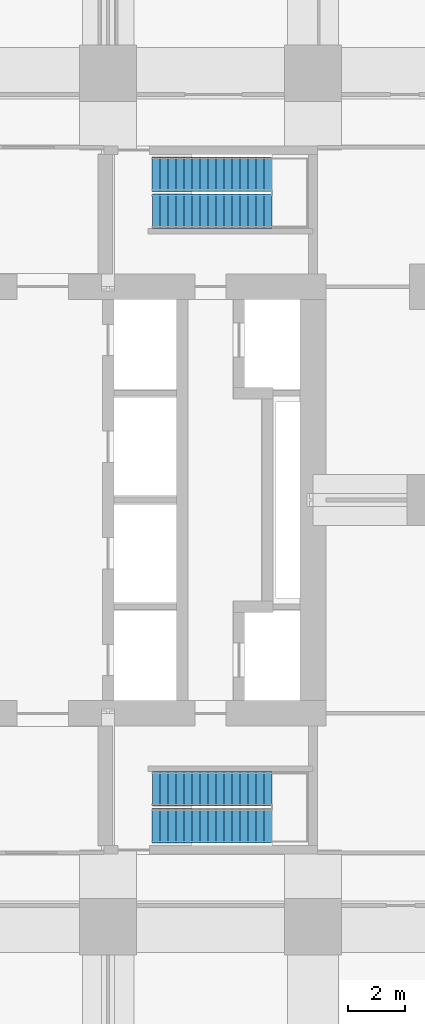
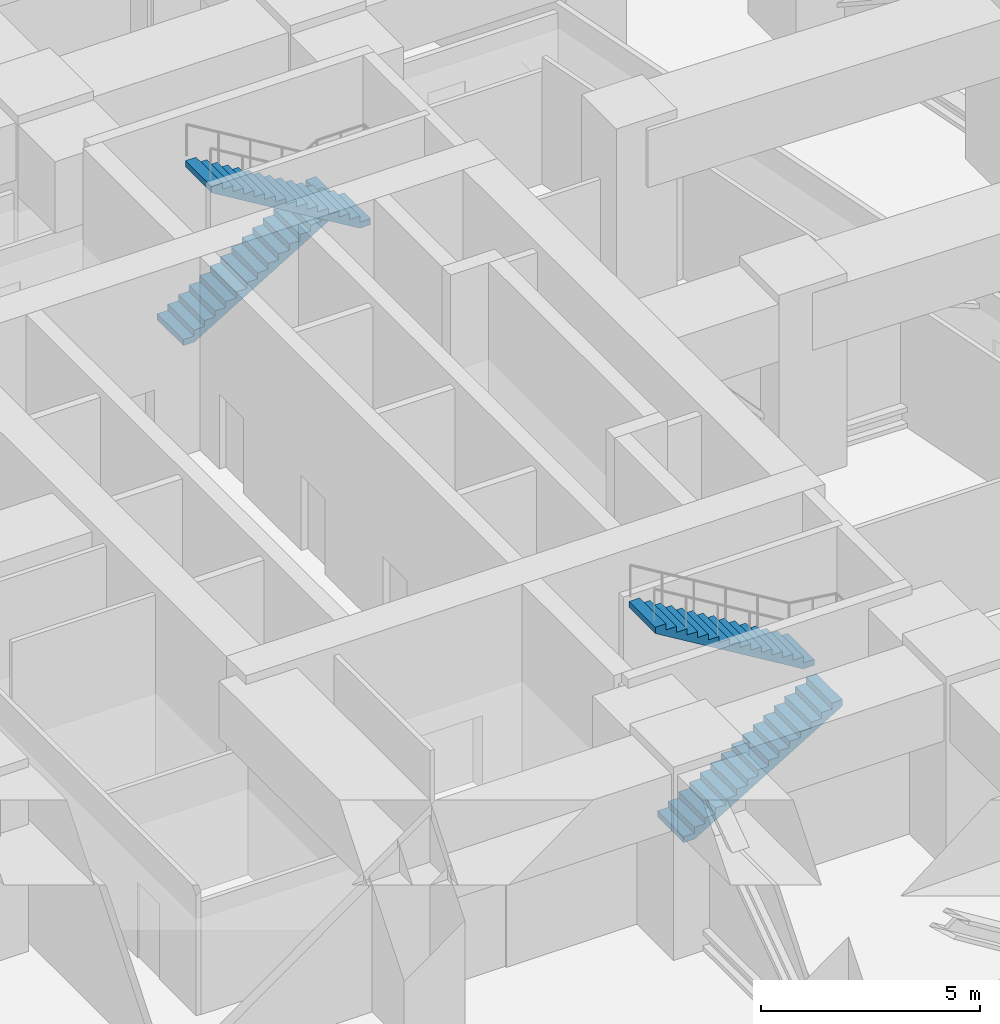
# One storey, part 9 of 10: 4 stair flights, 2 elements without a shape of their own.
"""IFC4 building model written with IfcOpenShell, lengths in metres."""

from ifc_helpers import new_model, si_unit, direction, frame, origin, place, context, subcontext, project, spatial, triangles, material, type_object, element, aggregate, save


model = new_model("IFC4")

# Units and contexts
model_context = context("Model", 3, precision=1e-05, world=origin(), true_north=direction((0.0, 1.0)))
body_context = subcontext(model_context, "Body", "Model", "MODEL_VIEW")
ifc_project = project(units=[si_unit("LENGTHUNIT", "METRE"), si_unit("AREAUNIT", "SQUARE_METRE"), si_unit("VOLUMEUNIT", "CUBIC_METRE"), si_unit("PLANEANGLEUNIT", "RADIAN"), si_unit("MASSUNIT", "GRAM", prefix="KILO")], contexts=[model_context])

# Site, building, storey
site_placement = place(None, origin())
site = spatial("IfcSite", under=ifc_project, at=site_placement, CompositionType="ELEMENT")
building_placement = place(site_placement, origin())
building = spatial("IfcBuilding", under=site, at=building_placement, Name="Sheger Commons Tower", CompositionType="ELEMENT")
storey_placement = place(building_placement, frame((0.0, 0.0, 130.39990234375)))
storey = spatial("IfcBuildingStorey", under=building, at=storey_placement, Name="L33", CompositionType="ELEMENT", Elevation=130.39990234375)

# Stair, stair flights
ifc_material_1 = material(Name="Concrete C35/45", Category="concrete")
stair_type = type_object("IfcStairType", Name="HALF-TURN STAIR 1200 RISE 5400", PredefinedType="HALF_TURN_STAIR", material=ifc_material_1)
stair_1_placement = place(storey_placement, origin())
stair_1 = element("IfcStair", 1, at=stair_1_placement, inside=storey, type_object=stair_type, Name="Stair S1 L33", PredefinedType="HALF_TURN_STAIR")
ifc_material_2 = material(Name="Concrete C35/45", Category="concrete")
stair_flight_type = type_object("IfcStairFlightType", Name="STAIR FLIGHT 1200 16 RISERS OF 169", PredefinedType="STRAIGHT", material=ifc_material_2)
stair_flight_1_placement = place(storey_placement, frame((23.14990234375, 11.050048828125, 0.0), z_axis=(0.0, 0.0, 1.0), x_axis=(1.0, 0.0, 0.0)))
stair_flight_1 = element("IfcStairFlight", 2, at=stair_flight_1_placement, type_object=stair_flight_type, Name="S1 flight 1", NumberOfRisers=16, NumberOfTreads=15, PredefinedType="STRAIGHT", RiserHeight=0.16875, TreadLength=0.28, context=body_context, shape_type="Tessellation", body=[
    triangles([(0.0, 0.5999755859375, 0.0), (0.0, 0.5999755859375, 0.168701171875), (0.280029296875, 0.5999755859375, 0.168701171875), (0.280029296875, 0.5999755859375, 0.33740234375), (0.56005859375, 0.5999755859375, 0.33740234375), (0.56005859375, 0.5999755859375, 0.50634765625), (0.840087890625, 0.5999755859375, 0.50634765625), (0.840087890625, 0.5999755859375, 0.675048828125), (1.1201171875, 0.5999755859375, 0.675048828125), (1.1201171875, 0.5999755859375, 0.84375), (1.39990234375, 0.5999755859375, 0.84375), (1.39990234375, 0.5999755859375, 1.012451171875), (1.679931640625, 0.5999755859375, 1.012451171875), (1.679931640625, 0.5999755859375, 1.18115234375), (1.9599609375, 0.5999755859375, 1.18115234375), (1.9599609375, 0.5999755859375, 1.35009765625), (2.239990234375, 0.5999755859375, 1.35009765625), (2.239990234375, 0.5999755859375, 1.518798828125), (2.52001953125, 0.5999755859375, 1.518798828125), (2.52001953125, 0.5999755859375, 1.6875), (2.800048828125, 0.5999755859375, 1.6875), (2.800048828125, 0.5999755859375, 1.856201171875), (3.080078125, 0.5999755859375, 1.856201171875), (3.080078125, 0.5999755859375, 2.02490234375), (3.360107421875, 0.5999755859375, 2.02490234375), (3.360107421875, 0.5999755859375, 2.19384765625), (3.639892578125, 0.5999755859375, 2.19384765625), (3.639892578125, 0.5999755859375, 2.362548828125), (3.919921875, 0.5999755859375, 2.362548828125), (3.919921875, 0.5999755859375, 2.53125), (4.199951171875, 0.5999755859375, 2.53125), (4.199951171875, 0.5999755859375, 2.356201171875), (0.29052734375, 0.5999755859375, 0.0), (0.0, -0.5999755859375, 0.0), (0.0, -0.5999755859375, 0.168701171875), (0.280029296875, -0.5999755859375, 0.168701171875), (0.280029296875, -0.5999755859375, 0.33740234375), (0.56005859375, -0.5999755859375, 0.33740234375), (0.56005859375, -0.5999755859375, 0.50634765625), (0.840087890625, -0.5999755859375, 0.50634765625), (0.840087890625, -0.5999755859375, 0.675048828125), (1.1201171875, -0.5999755859375, 0.675048828125), (1.1201171875, -0.5999755859375, 0.84375), (1.39990234375, -0.5999755859375, 0.84375), (1.39990234375, -0.5999755859375, 1.012451171875), (1.679931640625, -0.5999755859375, 1.012451171875), (1.679931640625, -0.5999755859375, 1.18115234375), (1.9599609375, -0.5999755859375, 1.18115234375), (1.9599609375, -0.5999755859375, 1.35009765625), (2.239990234375, -0.5999755859375, 1.35009765625), (2.239990234375, -0.5999755859375, 1.518798828125), (2.52001953125, -0.5999755859375, 1.518798828125), (2.52001953125, -0.5999755859375, 1.6875), (2.800048828125, -0.5999755859375, 1.6875), (2.800048828125, -0.5999755859375, 1.856201171875), (3.080078125, -0.5999755859375, 1.856201171875), (3.080078125, -0.5999755859375, 2.02490234375), (3.360107421875, -0.5999755859375, 2.02490234375), (3.360107421875, -0.5999755859375, 2.19384765625), (3.639892578125, -0.5999755859375, 2.19384765625), (3.639892578125, -0.5999755859375, 2.362548828125), (3.919921875, -0.5999755859375, 2.362548828125), (3.919921875, -0.5999755859375, 2.53125), (4.199951171875, -0.5999755859375, 2.53125), (4.199951171875, -0.5999755859375, 2.356201171875), (0.29052734375, -0.5999755859375, 0.0), (0.0, 0.0, 0.0843505859375), (0.1400146484375, 0.0, 0.168701171875), (0.280029296875, 0.0, 0.2530517578125), (0.4200439453125, 0.0, 0.33740234375), (0.56005859375, 0.0, 0.421875), (0.7000732421875, 0.0, 0.50634765625), (0.840087890625, 0.0, 0.5906982421875), (0.9801025390625, 0.0, 0.675048828125), (1.1201171875, 0.0, 0.7593994140625), (1.260009765625, 0.0, 0.84375), (1.39990234375, 0.0, 0.9281005859375), (1.5399169921875, 0.0, 1.012451171875), (1.679931640625, 0.0, 1.0968017578125), (1.8199462890625, 0.0, 1.18115234375), (1.9599609375, 0.0, 1.265625), (2.0999755859375, 0.0, 1.35009765625), (2.239990234375, 0.0, 1.4344482421875), (2.3800048828125, 0.0, 1.518798828125), (2.52001953125, 0.0, 1.6031494140625), (2.6600341796875, 0.0, 1.6875), (2.800048828125, 0.0, 1.7718505859375), (2.9400634765625, 0.0, 1.856201171875), (3.080078125, 0.0, 1.9405517578125), (3.2200927734375, 0.0, 2.02490234375), (3.360107421875, 0.0, 2.109375), (3.5, 0.0, 2.19384765625), (3.639892578125, 0.0, 2.2781982421875), (3.7799072265625, 0.0, 2.362548828125), (3.919921875, 0.0, 2.4468994140625), (4.0599365234375, 0.0, 2.53125), (4.199951171875, 0.0, 2.4437255859375), (2.2452392578125, 0.0, 1.1781005859375), (0.145263671875, 0.0, 0.0)], [[1, 32, 33], [34, 66, 65], [32, 30, 31], [65, 64, 63], [32, 29, 30], [65, 63, 62], [32, 28, 29], [65, 62, 61], [32, 27, 28], [65, 61, 60], [27, 25, 26], [60, 59, 58], [32, 25, 27], [65, 60, 58], [25, 23, 24], [58, 57, 56], [32, 23, 25], [65, 58, 56], [23, 21, 22], [56, 55, 54], [32, 21, 23], [65, 56, 54], [21, 19, 20], [54, 53, 52], [32, 19, 21], [65, 54, 52], [19, 17, 18], [52, 51, 50], [32, 17, 19], [65, 52, 50], [17, 15, 16], [50, 49, 48], [32, 15, 17], [65, 50, 48], [15, 13, 14], [48, 47, 46], [32, 13, 15], [65, 48, 46], [13, 11, 12], [46, 45, 44], [32, 11, 13], [65, 46, 44], [11, 9, 10], [44, 43, 42], [32, 9, 11], [65, 44, 42], [9, 7, 8], [42, 41, 40], [32, 7, 9], [65, 42, 40], [7, 5, 6], [40, 39, 38], [32, 5, 7], [65, 40, 38], [5, 3, 4], [38, 37, 36], [32, 3, 5], [65, 38, 36], [1, 3, 32], [34, 65, 36], [3, 1, 2], [36, 35, 34], [1, 67, 2], [2, 67, 35], [35, 67, 34], [34, 67, 1], [2, 68, 3], [3, 68, 36], [36, 68, 35], [35, 68, 2], [3, 69, 4], [4, 69, 37], [37, 69, 36], [36, 69, 3], [4, 70, 5], [5, 70, 38], [38, 70, 37], [37, 70, 4], [5, 71, 6], [6, 71, 39], [39, 71, 38], [38, 71, 5], [6, 72, 7], [7, 72, 40], [40, 72, 39], [39, 72, 6], [7, 73, 8], [8, 73, 41], [41, 73, 40], [40, 73, 7], [8, 74, 9], [9, 74, 42], [42, 74, 41], [41, 74, 8], [9, 75, 10], [10, 75, 43], [43, 75, 42], [42, 75, 9], [10, 76, 11], [11, 76, 44], [44, 76, 43], [43, 76, 10], [11, 77, 12], [12, 77, 45], [45, 77, 44], [44, 77, 11], [12, 78, 13], [13, 78, 46], [46, 78, 45], [45, 78, 12], [13, 79, 14], [14, 79, 47], [47, 79, 46], [46, 79, 13], [14, 80, 15], [15, 80, 48], [48, 80, 47], [47, 80, 14], [15, 81, 16], [16, 81, 49], [49, 81, 48], [48, 81, 15], [16, 82, 17], [17, 82, 50], [50, 82, 49], [49, 82, 16], [17, 83, 18], [18, 83, 51], [51, 83, 50], [50, 83, 17], [18, 84, 19], [19, 84, 52], [52, 84, 51], [51, 84, 18], [19, 85, 20], [20, 85, 53], [53, 85, 52], [52, 85, 19], [20, 86, 21], [21, 86, 54], [54, 86, 53], [53, 86, 20], [21, 87, 22], [22, 87, 55], [55, 87, 54], [54, 87, 21], [22, 88, 23], [23, 88, 56], [56, 88, 55], [55, 88, 22], [23, 89, 24], [24, 89, 57], [57, 89, 56], [56, 89, 23], [24, 90, 25], [25, 90, 58], [58, 90, 57], [57, 90, 24], [25, 91, 26], [26, 91, 59], [59, 91, 58], [58, 91, 25], [26, 92, 27], [27, 92, 60], [60, 92, 59], [59, 92, 26], [27, 93, 28], [28, 93, 61], [61, 93, 60], [60, 93, 27], [28, 94, 29], [29, 94, 62], [62, 94, 61], [61, 94, 28], [29, 95, 30], [30, 95, 63], [63, 95, 62], [62, 95, 29], [30, 96, 31], [31, 96, 64], [64, 96, 63], [63, 96, 30], [31, 97, 32], [32, 97, 65], [65, 97, 64], [64, 97, 31], [32, 98, 33], [33, 98, 66], [66, 98, 65], [65, 98, 32], [33, 99, 1], [1, 99, 34], [34, 99, 66], [66, 99, 33]], closed=True),
])
stair_flight_2_placement = place(storey_placement, frame((27.35009765625, 12.35009765625, 2.7001953125), z_axis=(0.0, 0.0, 1.0), x_axis=(-1.0, 0.0, 0.0)))
stair_flight_2 = element("IfcStairFlight", 3, at=stair_flight_2_placement, type_object=stair_flight_type, Name="S1 flight 2", NumberOfRisers=16, NumberOfTreads=15, PredefinedType="STRAIGHT", RiserHeight=0.16875, TreadLength=0.28, context=body_context, shape_type="Tessellation", body=[
    triangles([(0.0, 0.5999755859375, 0.0), (0.0, 0.5999755859375, 0.168701171875), (0.280029296875, 0.5999755859375, 0.168701171875), (0.280029296875, 0.5999755859375, 0.33740234375), (0.56005859375, 0.5999755859375, 0.33740234375), (0.56005859375, 0.5999755859375, 0.50634765625), (0.840087890625, 0.5999755859375, 0.50634765625), (0.840087890625, 0.5999755859375, 0.675048828125), (1.1201171875, 0.5999755859375, 0.675048828125), (1.1201171875, 0.5999755859375, 0.84375), (1.39990234375, 0.5999755859375, 0.84375), (1.39990234375, 0.5999755859375, 1.012451171875), (1.679931640625, 0.5999755859375, 1.012451171875), (1.679931640625, 0.5999755859375, 1.18115234375), (1.9599609375, 0.5999755859375, 1.18115234375), (1.9599609375, 0.5999755859375, 1.35009765625), (2.239990234375, 0.5999755859375, 1.35009765625), (2.239990234375, 0.5999755859375, 1.518798828125), (2.52001953125, 0.5999755859375, 1.518798828125), (2.52001953125, 0.5999755859375, 1.6875), (2.800048828125, 0.5999755859375, 1.6875), (2.800048828125, 0.5999755859375, 1.856201171875), (3.080078125, 0.5999755859375, 1.856201171875), (3.080078125, 0.5999755859375, 2.02490234375), (3.360107421875, 0.5999755859375, 2.02490234375), (3.360107421875, 0.5999755859375, 2.19384765625), (3.639892578125, 0.5999755859375, 2.19384765625), (3.639892578125, 0.5999755859375, 2.362548828125), (3.919921875, 0.5999755859375, 2.362548828125), (3.919921875, 0.5999755859375, 2.53125), (4.199951171875, 0.5999755859375, 2.53125), (4.199951171875, 0.5999755859375, 2.356201171875), (0.29052734375, 0.5999755859375, 0.0), (0.0, -0.5999755859375, 0.0), (0.0, -0.5999755859375, 0.168701171875), (0.280029296875, -0.5999755859375, 0.168701171875), (0.280029296875, -0.5999755859375, 0.33740234375), (0.56005859375, -0.5999755859375, 0.33740234375), (0.56005859375, -0.5999755859375, 0.50634765625), (0.840087890625, -0.5999755859375, 0.50634765625), (0.840087890625, -0.5999755859375, 0.675048828125), (1.1201171875, -0.5999755859375, 0.675048828125), (1.1201171875, -0.5999755859375, 0.84375), (1.39990234375, -0.5999755859375, 0.84375), (1.39990234375, -0.5999755859375, 1.012451171875), (1.679931640625, -0.5999755859375, 1.012451171875), (1.679931640625, -0.5999755859375, 1.18115234375), (1.9599609375, -0.5999755859375, 1.18115234375), (1.9599609375, -0.5999755859375, 1.35009765625), (2.239990234375, -0.5999755859375, 1.35009765625), (2.239990234375, -0.5999755859375, 1.518798828125), (2.52001953125, -0.5999755859375, 1.518798828125), (2.52001953125, -0.5999755859375, 1.6875), (2.800048828125, -0.5999755859375, 1.6875), (2.800048828125, -0.5999755859375, 1.856201171875), (3.080078125, -0.5999755859375, 1.856201171875), (3.080078125, -0.5999755859375, 2.02490234375), (3.360107421875, -0.5999755859375, 2.02490234375), (3.360107421875, -0.5999755859375, 2.19384765625), (3.639892578125, -0.5999755859375, 2.19384765625), (3.639892578125, -0.5999755859375, 2.362548828125), (3.919921875, -0.5999755859375, 2.362548828125), (3.919921875, -0.5999755859375, 2.53125), (4.199951171875, -0.5999755859375, 2.53125), (4.199951171875, -0.5999755859375, 2.356201171875), (0.29052734375, -0.5999755859375, 0.0), (0.0, 0.0, 0.0843505859375), (0.1400146484375, 0.0, 0.168701171875), (0.280029296875, 0.0, 0.2530517578125), (0.4200439453125, 0.0, 0.33740234375), (0.56005859375, 0.0, 0.421875), (0.7000732421875, 0.0, 0.50634765625), (0.840087890625, 0.0, 0.5906982421875), (0.9801025390625, 0.0, 0.675048828125), (1.1201171875, 0.0, 0.7593994140625), (1.260009765625, 0.0, 0.84375), (1.39990234375, 0.0, 0.9281005859375), (1.5399169921875, 0.0, 1.012451171875), (1.679931640625, 0.0, 1.0968017578125), (1.8199462890625, 0.0, 1.18115234375), (1.9599609375, 0.0, 1.265625), (2.0999755859375, 0.0, 1.35009765625), (2.239990234375, 0.0, 1.4344482421875), (2.3800048828125, 0.0, 1.518798828125), (2.52001953125, 0.0, 1.6031494140625), (2.6600341796875, 0.0, 1.6875), (2.800048828125, 0.0, 1.7718505859375), (2.9400634765625, 0.0, 1.856201171875), (3.080078125, 0.0, 1.9405517578125), (3.2200927734375, 0.0, 2.02490234375), (3.360107421875, 0.0, 2.109375), (3.5, 0.0, 2.19384765625), (3.639892578125, 0.0, 2.2781982421875), (3.7799072265625, 0.0, 2.362548828125), (3.919921875, 0.0, 2.4468994140625), (4.0599365234375, 0.0, 2.53125), (4.199951171875, 0.0, 2.4437255859375), (2.2452392578125, 0.0, 1.1781005859375), (0.145263671875, 0.0, 0.0)], [[1, 32, 33], [34, 66, 65], [32, 30, 31], [65, 64, 63], [32, 29, 30], [65, 63, 62], [32, 28, 29], [65, 62, 61], [32, 27, 28], [65, 61, 60], [27, 25, 26], [60, 59, 58], [32, 25, 27], [65, 60, 58], [25, 23, 24], [58, 57, 56], [32, 23, 25], [65, 58, 56], [23, 21, 22], [56, 55, 54], [32, 21, 23], [65, 56, 54], [21, 19, 20], [54, 53, 52], [32, 19, 21], [65, 54, 52], [19, 17, 18], [52, 51, 50], [32, 17, 19], [65, 52, 50], [17, 15, 16], [50, 49, 48], [32, 15, 17], [65, 50, 48], [15, 13, 14], [48, 47, 46], [32, 13, 15], [65, 48, 46], [13, 11, 12], [46, 45, 44], [32, 11, 13], [65, 46, 44], [11, 9, 10], [44, 43, 42], [32, 9, 11], [65, 44, 42], [9, 7, 8], [42, 41, 40], [32, 7, 9], [65, 42, 40], [7, 5, 6], [40, 39, 38], [32, 5, 7], [65, 40, 38], [5, 3, 4], [38, 37, 36], [32, 3, 5], [65, 38, 36], [1, 3, 32], [34, 65, 36], [3, 1, 2], [36, 35, 34], [1, 67, 2], [2, 67, 35], [35, 67, 34], [34, 67, 1], [2, 68, 3], [3, 68, 36], [36, 68, 35], [35, 68, 2], [3, 69, 4], [4, 69, 37], [37, 69, 36], [36, 69, 3], [4, 70, 5], [5, 70, 38], [38, 70, 37], [37, 70, 4], [5, 71, 6], [6, 71, 39], [39, 71, 38], [38, 71, 5], [6, 72, 7], [7, 72, 40], [40, 72, 39], [39, 72, 6], [7, 73, 8], [8, 73, 41], [41, 73, 40], [40, 73, 7], [8, 74, 9], [9, 74, 42], [42, 74, 41], [41, 74, 8], [9, 75, 10], [10, 75, 43], [43, 75, 42], [42, 75, 9], [10, 76, 11], [11, 76, 44], [44, 76, 43], [43, 76, 10], [11, 77, 12], [12, 77, 45], [45, 77, 44], [44, 77, 11], [12, 78, 13], [13, 78, 46], [46, 78, 45], [45, 78, 12], [13, 79, 14], [14, 79, 47], [47, 79, 46], [46, 79, 13], [14, 80, 15], [15, 80, 48], [48, 80, 47], [47, 80, 14], [15, 81, 16], [16, 81, 49], [49, 81, 48], [48, 81, 15], [16, 82, 17], [17, 82, 50], [50, 82, 49], [49, 82, 16], [17, 83, 18], [18, 83, 51], [51, 83, 50], [50, 83, 17], [18, 84, 19], [19, 84, 52], [52, 84, 51], [51, 84, 18], [19, 85, 20], [20, 85, 53], [53, 85, 52], [52, 85, 19], [20, 86, 21], [21, 86, 54], [54, 86, 53], [53, 86, 20], [21, 87, 22], [22, 87, 55], [55, 87, 54], [54, 87, 21], [22, 88, 23], [23, 88, 56], [56, 88, 55], [55, 88, 22], [23, 89, 24], [24, 89, 57], [57, 89, 56], [56, 89, 23], [24, 90, 25], [25, 90, 58], [58, 90, 57], [57, 90, 24], [25, 91, 26], [26, 91, 59], [59, 91, 58], [58, 91, 25], [26, 92, 27], [27, 92, 60], [60, 92, 59], [59, 92, 26], [27, 93, 28], [28, 93, 61], [61, 93, 60], [60, 93, 27], [28, 94, 29], [29, 94, 62], [62, 94, 61], [61, 94, 28], [29, 95, 30], [30, 95, 63], [63, 95, 62], [62, 95, 29], [30, 96, 31], [31, 96, 64], [64, 96, 63], [63, 96, 30], [31, 97, 32], [32, 97, 65], [65, 97, 64], [64, 97, 31], [32, 98, 33], [33, 98, 66], [66, 98, 65], [65, 98, 32], [33, 99, 1], [1, 99, 34], [34, 99, 66], [66, 99, 33]], closed=True),
])
aggregate(stair_1, [stair_flight_1, stair_flight_2])

stair_2_placement = place(storey_placement, origin())
stair_2 = element("IfcStair", 4, at=stair_2_placement, inside=storey, type_object=stair_type, Name="Stair S2 L33", PredefinedType="HALF_TURN_STAIR")
stair_flight_3_placement = place(storey_placement, frame((23.14990234375, 33.949951171875, 0.0), z_axis=(0.0, 0.0, 1.0), x_axis=(1.0, 0.0, 0.0)))
stair_flight_3 = element("IfcStairFlight", 5, at=stair_flight_3_placement, type_object=stair_flight_type, Name="S2 flight 1", NumberOfRisers=16, NumberOfTreads=15, PredefinedType="STRAIGHT", RiserHeight=0.16875, TreadLength=0.28, context=body_context, shape_type="Tessellation", body=[
    triangles([(0.0, 0.5999755859375, 0.0), (0.0, 0.5999755859375, 0.168701171875), (0.280029296875, 0.5999755859375, 0.168701171875), (0.280029296875, 0.5999755859375, 0.33740234375), (0.56005859375, 0.5999755859375, 0.33740234375), (0.56005859375, 0.5999755859375, 0.50634765625), (0.840087890625, 0.5999755859375, 0.50634765625), (0.840087890625, 0.5999755859375, 0.675048828125), (1.1201171875, 0.5999755859375, 0.675048828125), (1.1201171875, 0.5999755859375, 0.84375), (1.39990234375, 0.5999755859375, 0.84375), (1.39990234375, 0.5999755859375, 1.012451171875), (1.679931640625, 0.5999755859375, 1.012451171875), (1.679931640625, 0.5999755859375, 1.18115234375), (1.9599609375, 0.5999755859375, 1.18115234375), (1.9599609375, 0.5999755859375, 1.35009765625), (2.239990234375, 0.5999755859375, 1.35009765625), (2.239990234375, 0.5999755859375, 1.518798828125), (2.52001953125, 0.5999755859375, 1.518798828125), (2.52001953125, 0.5999755859375, 1.6875), (2.800048828125, 0.5999755859375, 1.6875), (2.800048828125, 0.5999755859375, 1.856201171875), (3.080078125, 0.5999755859375, 1.856201171875), (3.080078125, 0.5999755859375, 2.02490234375), (3.360107421875, 0.5999755859375, 2.02490234375), (3.360107421875, 0.5999755859375, 2.19384765625), (3.639892578125, 0.5999755859375, 2.19384765625), (3.639892578125, 0.5999755859375, 2.362548828125), (3.919921875, 0.5999755859375, 2.362548828125), (3.919921875, 0.5999755859375, 2.53125), (4.199951171875, 0.5999755859375, 2.53125), (4.199951171875, 0.5999755859375, 2.356201171875), (0.29052734375, 0.5999755859375, 0.0), (0.0, -0.5999755859375, 0.0), (0.0, -0.5999755859375, 0.168701171875), (0.280029296875, -0.5999755859375, 0.168701171875), (0.280029296875, -0.5999755859375, 0.33740234375), (0.56005859375, -0.5999755859375, 0.33740234375), (0.56005859375, -0.5999755859375, 0.50634765625), (0.840087890625, -0.5999755859375, 0.50634765625), (0.840087890625, -0.5999755859375, 0.675048828125), (1.1201171875, -0.5999755859375, 0.675048828125), (1.1201171875, -0.5999755859375, 0.84375), (1.39990234375, -0.5999755859375, 0.84375), (1.39990234375, -0.5999755859375, 1.012451171875), (1.679931640625, -0.5999755859375, 1.012451171875), (1.679931640625, -0.5999755859375, 1.18115234375), (1.9599609375, -0.5999755859375, 1.18115234375), (1.9599609375, -0.5999755859375, 1.35009765625), (2.239990234375, -0.5999755859375, 1.35009765625), (2.239990234375, -0.5999755859375, 1.518798828125), (2.52001953125, -0.5999755859375, 1.518798828125), (2.52001953125, -0.5999755859375, 1.6875), (2.800048828125, -0.5999755859375, 1.6875), (2.800048828125, -0.5999755859375, 1.856201171875), (3.080078125, -0.5999755859375, 1.856201171875), (3.080078125, -0.5999755859375, 2.02490234375), (3.360107421875, -0.5999755859375, 2.02490234375), (3.360107421875, -0.5999755859375, 2.19384765625), (3.639892578125, -0.5999755859375, 2.19384765625), (3.639892578125, -0.5999755859375, 2.362548828125), (3.919921875, -0.5999755859375, 2.362548828125), (3.919921875, -0.5999755859375, 2.53125), (4.199951171875, -0.5999755859375, 2.53125), (4.199951171875, -0.5999755859375, 2.356201171875), (0.29052734375, -0.5999755859375, 0.0), (0.0, 0.0, 0.0843505859375), (0.1400146484375, 0.0, 0.168701171875), (0.280029296875, 0.0, 0.2530517578125), (0.4200439453125, 0.0, 0.33740234375), (0.56005859375, 0.0, 0.421875), (0.7000732421875, 0.0, 0.50634765625), (0.840087890625, 0.0, 0.5906982421875), (0.9801025390625, 0.0, 0.675048828125), (1.1201171875, 0.0, 0.7593994140625), (1.260009765625, 0.0, 0.84375), (1.39990234375, 0.0, 0.9281005859375), (1.5399169921875, 0.0, 1.012451171875), (1.679931640625, 0.0, 1.0968017578125), (1.8199462890625, 0.0, 1.18115234375), (1.9599609375, 0.0, 1.265625), (2.0999755859375, 0.0, 1.35009765625), (2.239990234375, 0.0, 1.4344482421875), (2.3800048828125, 0.0, 1.518798828125), (2.52001953125, 0.0, 1.6031494140625), (2.6600341796875, 0.0, 1.6875), (2.800048828125, 0.0, 1.7718505859375), (2.9400634765625, 0.0, 1.856201171875), (3.080078125, 0.0, 1.9405517578125), (3.2200927734375, 0.0, 2.02490234375), (3.360107421875, 0.0, 2.109375), (3.5, 0.0, 2.19384765625), (3.639892578125, 0.0, 2.2781982421875), (3.7799072265625, 0.0, 2.362548828125), (3.919921875, 0.0, 2.4468994140625), (4.0599365234375, 0.0, 2.53125), (4.199951171875, 0.0, 2.4437255859375), (2.2452392578125, 0.0, 1.1781005859375), (0.145263671875, 0.0, 0.0)], [[1, 32, 33], [34, 66, 65], [32, 30, 31], [65, 64, 63], [32, 29, 30], [65, 63, 62], [32, 28, 29], [65, 62, 61], [32, 27, 28], [65, 61, 60], [27, 25, 26], [60, 59, 58], [32, 25, 27], [65, 60, 58], [25, 23, 24], [58, 57, 56], [32, 23, 25], [65, 58, 56], [23, 21, 22], [56, 55, 54], [32, 21, 23], [65, 56, 54], [21, 19, 20], [54, 53, 52], [32, 19, 21], [65, 54, 52], [19, 17, 18], [52, 51, 50], [32, 17, 19], [65, 52, 50], [17, 15, 16], [50, 49, 48], [32, 15, 17], [65, 50, 48], [15, 13, 14], [48, 47, 46], [32, 13, 15], [65, 48, 46], [13, 11, 12], [46, 45, 44], [32, 11, 13], [65, 46, 44], [11, 9, 10], [44, 43, 42], [32, 9, 11], [65, 44, 42], [9, 7, 8], [42, 41, 40], [32, 7, 9], [65, 42, 40], [7, 5, 6], [40, 39, 38], [32, 5, 7], [65, 40, 38], [5, 3, 4], [38, 37, 36], [32, 3, 5], [65, 38, 36], [1, 3, 32], [34, 65, 36], [3, 1, 2], [36, 35, 34], [1, 67, 2], [2, 67, 35], [35, 67, 34], [34, 67, 1], [2, 68, 3], [3, 68, 36], [36, 68, 35], [35, 68, 2], [3, 69, 4], [4, 69, 37], [37, 69, 36], [36, 69, 3], [4, 70, 5], [5, 70, 38], [38, 70, 37], [37, 70, 4], [5, 71, 6], [6, 71, 39], [39, 71, 38], [38, 71, 5], [6, 72, 7], [7, 72, 40], [40, 72, 39], [39, 72, 6], [7, 73, 8], [8, 73, 41], [41, 73, 40], [40, 73, 7], [8, 74, 9], [9, 74, 42], [42, 74, 41], [41, 74, 8], [9, 75, 10], [10, 75, 43], [43, 75, 42], [42, 75, 9], [10, 76, 11], [11, 76, 44], [44, 76, 43], [43, 76, 10], [11, 77, 12], [12, 77, 45], [45, 77, 44], [44, 77, 11], [12, 78, 13], [13, 78, 46], [46, 78, 45], [45, 78, 12], [13, 79, 14], [14, 79, 47], [47, 79, 46], [46, 79, 13], [14, 80, 15], [15, 80, 48], [48, 80, 47], [47, 80, 14], [15, 81, 16], [16, 81, 49], [49, 81, 48], [48, 81, 15], [16, 82, 17], [17, 82, 50], [50, 82, 49], [49, 82, 16], [17, 83, 18], [18, 83, 51], [51, 83, 50], [50, 83, 17], [18, 84, 19], [19, 84, 52], [52, 84, 51], [51, 84, 18], [19, 85, 20], [20, 85, 53], [53, 85, 52], [52, 85, 19], [20, 86, 21], [21, 86, 54], [54, 86, 53], [53, 86, 20], [21, 87, 22], [22, 87, 55], [55, 87, 54], [54, 87, 21], [22, 88, 23], [23, 88, 56], [56, 88, 55], [55, 88, 22], [23, 89, 24], [24, 89, 57], [57, 89, 56], [56, 89, 23], [24, 90, 25], [25, 90, 58], [58, 90, 57], [57, 90, 24], [25, 91, 26], [26, 91, 59], [59, 91, 58], [58, 91, 25], [26, 92, 27], [27, 92, 60], [60, 92, 59], [59, 92, 26], [27, 93, 28], [28, 93, 61], [61, 93, 60], [60, 93, 27], [28, 94, 29], [29, 94, 62], [62, 94, 61], [61, 94, 28], [29, 95, 30], [30, 95, 63], [63, 95, 62], [62, 95, 29], [30, 96, 31], [31, 96, 64], [64, 96, 63], [63, 96, 30], [31, 97, 32], [32, 97, 65], [65, 97, 64], [64, 97, 31], [32, 98, 33], [33, 98, 66], [66, 98, 65], [65, 98, 32], [33, 99, 1], [1, 99, 34], [34, 99, 66], [66, 99, 33]], closed=True),
])
stair_flight_4_placement = place(storey_placement, frame((27.35009765625, 32.64990234375, 2.7001953125), z_axis=(0.0, 0.0, 1.0), x_axis=(-1.0, 0.0, 0.0)))
stair_flight_4 = element("IfcStairFlight", 6, at=stair_flight_4_placement, type_object=stair_flight_type, Name="S2 flight 2", NumberOfRisers=16, NumberOfTreads=15, PredefinedType="STRAIGHT", RiserHeight=0.16875, TreadLength=0.28, context=body_context, shape_type="Tessellation", body=[
    triangles([(0.0, 0.5999755859375, 0.0), (0.0, 0.5999755859375, 0.168701171875), (0.280029296875, 0.5999755859375, 0.168701171875), (0.280029296875, 0.5999755859375, 0.33740234375), (0.56005859375, 0.5999755859375, 0.33740234375), (0.56005859375, 0.5999755859375, 0.50634765625), (0.840087890625, 0.5999755859375, 0.50634765625), (0.840087890625, 0.5999755859375, 0.675048828125), (1.1201171875, 0.5999755859375, 0.675048828125), (1.1201171875, 0.5999755859375, 0.84375), (1.39990234375, 0.5999755859375, 0.84375), (1.39990234375, 0.5999755859375, 1.012451171875), (1.679931640625, 0.5999755859375, 1.012451171875), (1.679931640625, 0.5999755859375, 1.18115234375), (1.9599609375, 0.5999755859375, 1.18115234375), (1.9599609375, 0.5999755859375, 1.35009765625), (2.239990234375, 0.5999755859375, 1.35009765625), (2.239990234375, 0.5999755859375, 1.518798828125), (2.52001953125, 0.5999755859375, 1.518798828125), (2.52001953125, 0.5999755859375, 1.6875), (2.800048828125, 0.5999755859375, 1.6875), (2.800048828125, 0.5999755859375, 1.856201171875), (3.080078125, 0.5999755859375, 1.856201171875), (3.080078125, 0.5999755859375, 2.02490234375), (3.360107421875, 0.5999755859375, 2.02490234375), (3.360107421875, 0.5999755859375, 2.19384765625), (3.639892578125, 0.5999755859375, 2.19384765625), (3.639892578125, 0.5999755859375, 2.362548828125), (3.919921875, 0.5999755859375, 2.362548828125), (3.919921875, 0.5999755859375, 2.53125), (4.199951171875, 0.5999755859375, 2.53125), (4.199951171875, 0.5999755859375, 2.356201171875), (0.29052734375, 0.5999755859375, 0.0), (0.0, -0.5999755859375, 0.0), (0.0, -0.5999755859375, 0.168701171875), (0.280029296875, -0.5999755859375, 0.168701171875), (0.280029296875, -0.5999755859375, 0.33740234375), (0.56005859375, -0.5999755859375, 0.33740234375), (0.56005859375, -0.5999755859375, 0.50634765625), (0.840087890625, -0.5999755859375, 0.50634765625), (0.840087890625, -0.5999755859375, 0.675048828125), (1.1201171875, -0.5999755859375, 0.675048828125), (1.1201171875, -0.5999755859375, 0.84375), (1.39990234375, -0.5999755859375, 0.84375), (1.39990234375, -0.5999755859375, 1.012451171875), (1.679931640625, -0.5999755859375, 1.012451171875), (1.679931640625, -0.5999755859375, 1.18115234375), (1.9599609375, -0.5999755859375, 1.18115234375), (1.9599609375, -0.5999755859375, 1.35009765625), (2.239990234375, -0.5999755859375, 1.35009765625), (2.239990234375, -0.5999755859375, 1.518798828125), (2.52001953125, -0.5999755859375, 1.518798828125), (2.52001953125, -0.5999755859375, 1.6875), (2.800048828125, -0.5999755859375, 1.6875), (2.800048828125, -0.5999755859375, 1.856201171875), (3.080078125, -0.5999755859375, 1.856201171875), (3.080078125, -0.5999755859375, 2.02490234375), (3.360107421875, -0.5999755859375, 2.02490234375), (3.360107421875, -0.5999755859375, 2.19384765625), (3.639892578125, -0.5999755859375, 2.19384765625), (3.639892578125, -0.5999755859375, 2.362548828125), (3.919921875, -0.5999755859375, 2.362548828125), (3.919921875, -0.5999755859375, 2.53125), (4.199951171875, -0.5999755859375, 2.53125), (4.199951171875, -0.5999755859375, 2.356201171875), (0.29052734375, -0.5999755859375, 0.0), (0.0, 0.0, 0.0843505859375), (0.1400146484375, 0.0, 0.168701171875), (0.280029296875, 0.0, 0.2530517578125), (0.4200439453125, 0.0, 0.33740234375), (0.56005859375, 0.0, 0.421875), (0.7000732421875, 0.0, 0.50634765625), (0.840087890625, 0.0, 0.5906982421875), (0.9801025390625, 0.0, 0.675048828125), (1.1201171875, 0.0, 0.7593994140625), (1.260009765625, 0.0, 0.84375), (1.39990234375, 0.0, 0.9281005859375), (1.5399169921875, 0.0, 1.012451171875), (1.679931640625, 0.0, 1.0968017578125), (1.8199462890625, 0.0, 1.18115234375), (1.9599609375, 0.0, 1.265625), (2.0999755859375, 0.0, 1.35009765625), (2.239990234375, 0.0, 1.4344482421875), (2.3800048828125, 0.0, 1.518798828125), (2.52001953125, 0.0, 1.6031494140625), (2.6600341796875, 0.0, 1.6875), (2.800048828125, 0.0, 1.7718505859375), (2.9400634765625, 0.0, 1.856201171875), (3.080078125, 0.0, 1.9405517578125), (3.2200927734375, 0.0, 2.02490234375), (3.360107421875, 0.0, 2.109375), (3.5, 0.0, 2.19384765625), (3.639892578125, 0.0, 2.2781982421875), (3.7799072265625, 0.0, 2.362548828125), (3.919921875, 0.0, 2.4468994140625), (4.0599365234375, 0.0, 2.53125), (4.199951171875, 0.0, 2.4437255859375), (2.2452392578125, 0.0, 1.1781005859375), (0.145263671875, 0.0, 0.0)], [[1, 32, 33], [34, 66, 65], [32, 30, 31], [65, 64, 63], [32, 29, 30], [65, 63, 62], [32, 28, 29], [65, 62, 61], [32, 27, 28], [65, 61, 60], [27, 25, 26], [60, 59, 58], [32, 25, 27], [65, 60, 58], [25, 23, 24], [58, 57, 56], [32, 23, 25], [65, 58, 56], [23, 21, 22], [56, 55, 54], [32, 21, 23], [65, 56, 54], [21, 19, 20], [54, 53, 52], [32, 19, 21], [65, 54, 52], [19, 17, 18], [52, 51, 50], [32, 17, 19], [65, 52, 50], [17, 15, 16], [50, 49, 48], [32, 15, 17], [65, 50, 48], [15, 13, 14], [48, 47, 46], [32, 13, 15], [65, 48, 46], [13, 11, 12], [46, 45, 44], [32, 11, 13], [65, 46, 44], [11, 9, 10], [44, 43, 42], [32, 9, 11], [65, 44, 42], [9, 7, 8], [42, 41, 40], [32, 7, 9], [65, 42, 40], [7, 5, 6], [40, 39, 38], [32, 5, 7], [65, 40, 38], [5, 3, 4], [38, 37, 36], [32, 3, 5], [65, 38, 36], [1, 3, 32], [34, 65, 36], [3, 1, 2], [36, 35, 34], [1, 67, 2], [2, 67, 35], [35, 67, 34], [34, 67, 1], [2, 68, 3], [3, 68, 36], [36, 68, 35], [35, 68, 2], [3, 69, 4], [4, 69, 37], [37, 69, 36], [36, 69, 3], [4, 70, 5], [5, 70, 38], [38, 70, 37], [37, 70, 4], [5, 71, 6], [6, 71, 39], [39, 71, 38], [38, 71, 5], [6, 72, 7], [7, 72, 40], [40, 72, 39], [39, 72, 6], [7, 73, 8], [8, 73, 41], [41, 73, 40], [40, 73, 7], [8, 74, 9], [9, 74, 42], [42, 74, 41], [41, 74, 8], [9, 75, 10], [10, 75, 43], [43, 75, 42], [42, 75, 9], [10, 76, 11], [11, 76, 44], [44, 76, 43], [43, 76, 10], [11, 77, 12], [12, 77, 45], [45, 77, 44], [44, 77, 11], [12, 78, 13], [13, 78, 46], [46, 78, 45], [45, 78, 12], [13, 79, 14], [14, 79, 47], [47, 79, 46], [46, 79, 13], [14, 80, 15], [15, 80, 48], [48, 80, 47], [47, 80, 14], [15, 81, 16], [16, 81, 49], [49, 81, 48], [48, 81, 15], [16, 82, 17], [17, 82, 50], [50, 82, 49], [49, 82, 16], [17, 83, 18], [18, 83, 51], [51, 83, 50], [50, 83, 17], [18, 84, 19], [19, 84, 52], [52, 84, 51], [51, 84, 18], [19, 85, 20], [20, 85, 53], [53, 85, 52], [52, 85, 19], [20, 86, 21], [21, 86, 54], [54, 86, 53], [53, 86, 20], [21, 87, 22], [22, 87, 55], [55, 87, 54], [54, 87, 21], [22, 88, 23], [23, 88, 56], [56, 88, 55], [55, 88, 22], [23, 89, 24], [24, 89, 57], [57, 89, 56], [56, 89, 23], [24, 90, 25], [25, 90, 58], [58, 90, 57], [57, 90, 24], [25, 91, 26], [26, 91, 59], [59, 91, 58], [58, 91, 25], [26, 92, 27], [27, 92, 60], [60, 92, 59], [59, 92, 26], [27, 93, 28], [28, 93, 61], [61, 93, 60], [60, 93, 27], [28, 94, 29], [29, 94, 62], [62, 94, 61], [61, 94, 28], [29, 95, 30], [30, 95, 63], [63, 95, 62], [62, 95, 29], [30, 96, 31], [31, 96, 64], [64, 96, 63], [63, 96, 30], [31, 97, 32], [32, 97, 65], [65, 97, 64], [64, 97, 31], [32, 98, 33], [33, 98, 66], [66, 98, 65], [65, 98, 32], [33, 99, 1], [1, 99, 34], [34, 99, 66], [66, 99, 33]], closed=True),
])
aggregate(stair_2, [stair_flight_3, stair_flight_4])

save(model, "model.ifc")
